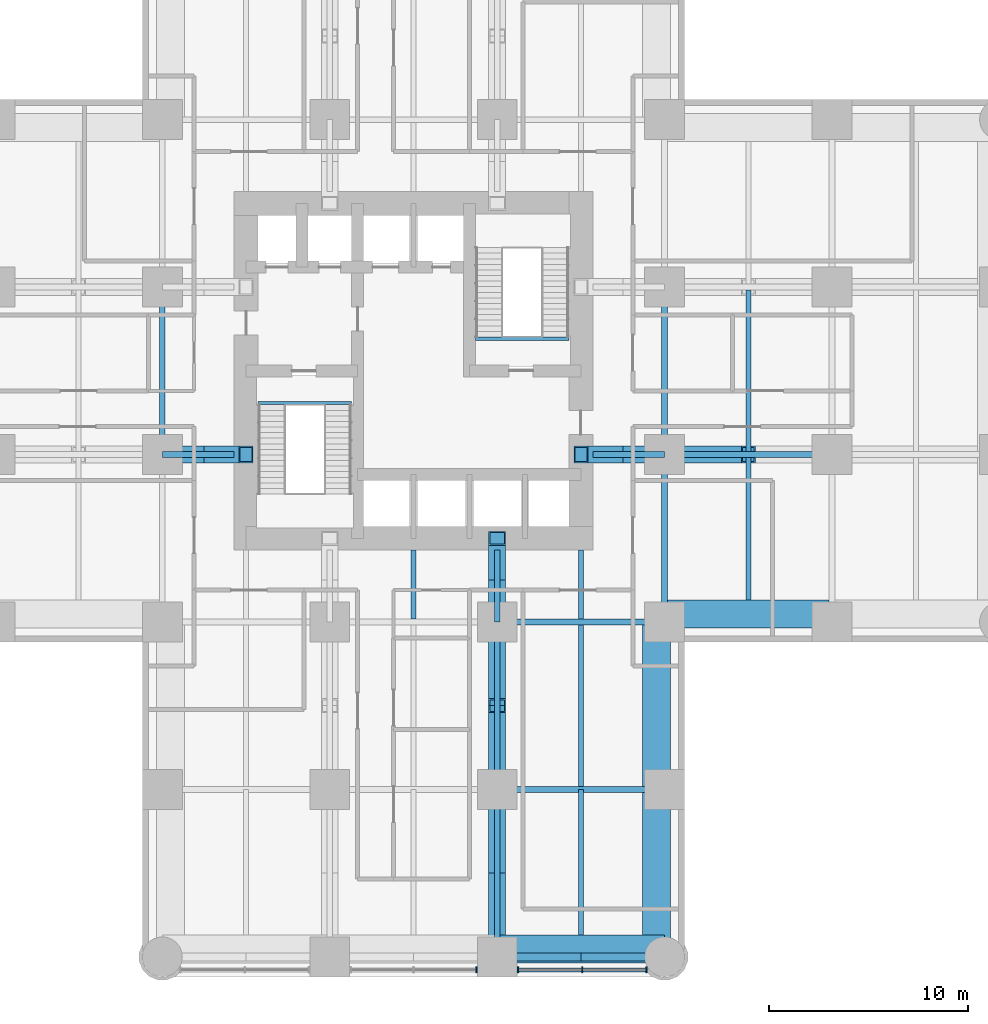
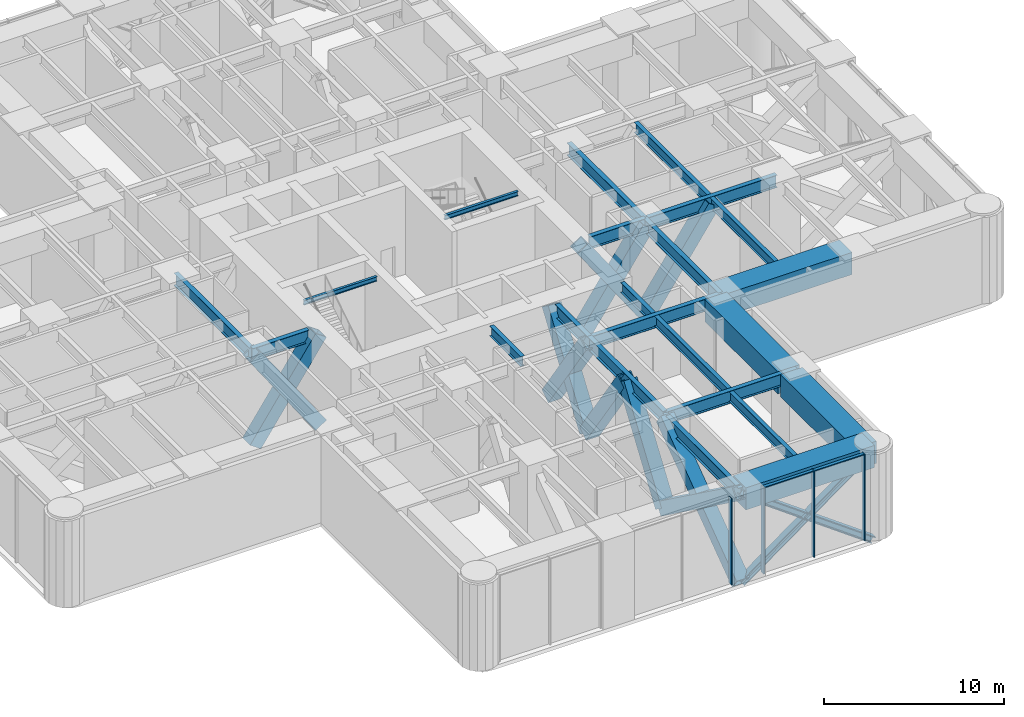
# One storey, part 3 of 12: 23 beams, 19 members, 1 element without a shape of its own.
"""IFC4 building model written with IfcOpenShell, lengths in metres."""

from ifc_helpers import new_model, si_unit, direction, frame, origin, origin_2d, place, context, subcontext, project, spatial, rectangle, hollow_rectangle, i_section, extrude, material, material_profile, profile_set, type_object, element, aggregate, save


model = new_model("IFC4")

# Units and contexts
model_context = context("Model", 3, precision=1e-05, world=origin(), true_north=direction((0.0, 1.0)))
body_context = subcontext(model_context, "Body", "Model", "MODEL_VIEW")
ifc_project = project(units=[si_unit("LENGTHUNIT", "METRE"), si_unit("AREAUNIT", "SQUARE_METRE"), si_unit("VOLUMEUNIT", "CUBIC_METRE"), si_unit("PLANEANGLEUNIT", "RADIAN"), si_unit("MASSUNIT", "GRAM", prefix="KILO")], contexts=[model_context])

# Site, building, storey
site_placement = place(None, origin())
site = spatial("IfcSite", under=ifc_project, at=site_placement, CompositionType="ELEMENT")
building_placement = place(site_placement, origin())
building = spatial("IfcBuilding", under=site, at=building_placement, Name="Torre Alcanfor", CompositionType="ELEMENT")
storey_placement = place(building_placement, frame((0.0, 0.0, 102.89990234375)))
storey = spatial("IfcBuildingStorey", under=building, at=storey_placement, Name="L26", CompositionType="ELEMENT", Elevation=102.89990234375)

# Members
ifc_material_1 = material(Name="Steel ASTM A992 Grade 50", Category="steel")
ifc_material_profile_1 = material_profile(ifc_material_1, i_section(OverallWidth=0.411376953125, OverallDepth=0.434326171875, WebThickness=0.035888671875, FlangeThickness=0.057373046875, at=origin_2d()), Name="W14x311")
ifc_profile_set_1 = profile_set([ifc_material_profile_1], Name="Steel ASTM A992 Grade 50")
member_type_1 = type_object("IfcMemberType", Name="Belt truss diagonal W14x311", PredefinedType="BRACE", material=ifc_profile_set_1)
for number, where, z_axis, x_axis, name in (
    (1, (33.60009765625, 0.0, -0.64990234375), (0.809144712888, 0.0, 0.587609422665), (0.0, 1.0, 0.0), "Belt truss L26 S arm panel 3 diagonal A"),
    (2, (42.0, 0.0, -0.64990234375), (-0.809144712888, 0.0, 0.587609422665), (0.0, -1.0, 0.0), "Belt truss L26 S arm panel 3 diagonal B"),
):
    element("IfcMember", number, at=place(storey_placement, frame(where, z_axis=z_axis, x_axis=x_axis)), inside=storey, type_object=member_type_1, Name=name, PredefinedType="BRACE", context=body_context, shape_type="SweptSolid", body=[
        extrude(i_section(OverallWidth=0.411376953125, OverallDepth=0.434326171875, WebThickness=0.035888671875, FlangeThickness=0.057373046875, at=origin_2d()), origin(), (0.0, 0.0, 1.0), 10.381103515625),
    ])

# Curtain wall, members
ifc_material_2 = material(Name="Aluminium and glass", Category="aluminium")
curtain_wall_type = type_object("IfcCurtainWallType", Name="CW-D plant floor louvre screen", PredefinedType="NOTDEFINED", material=ifc_material_2)
curtain_wall_placement = place(storey_placement, origin())
curtain_wall = element("IfcCurtainWall", 3, at=curtain_wall_placement, inside=storey, type_object=curtain_wall_type, Name="Curtain wall CW-D L26 5", PredefinedType="NOTDEFINED")
ifc_material_3 = material(Name="Extruded aluminium", Category="aluminium")
ifc_material_profile_2 = material_profile(ifc_material_3, rectangle(XDim=0.300048828125, YDim=0.06494140625, at=origin_2d()), Name="CW-D mullion 65x300")
ifc_profile_set_2 = profile_set([ifc_material_profile_2], Name="Extruded aluminium")
member_type_2 = type_object("IfcMemberType", Name="CW-D mullion 65x300", PredefinedType="MULLION", material=ifc_profile_set_2)
member_1_placement = place(storey_placement, frame((32.5625, -0.64990234375, 0.0), z_axis=(0.0, 0.0, 1.0), x_axis=(0.0, 1.0, 0.0)))
member_1 = element("IfcMember", 4, at=member_1_placement, type_object=member_type_2, Name="CW-D mullion 2.3", PredefinedType="MULLION", context=body_context, shape_type="SweptSolid", body=[
    extrude(rectangle(XDim=0.300048828125, YDim=0.06494140625, at=origin_2d()), origin(), (0.0, 0.0, 1.0), 5.85009765625),
])
member_2_placement = place(storey_placement, frame((34.637451171875, -0.64990234375, 0.0), z_axis=(0.0, 0.0, 1.0), x_axis=(0.0, 1.0, 0.0)))
member_2 = element("IfcMember", 5, at=member_2_placement, type_object=member_type_2, Name="CW-D mullion 3.1", PredefinedType="MULLION", context=body_context, shape_type="SweptSolid", body=[
    extrude(rectangle(XDim=0.300048828125, YDim=0.06494140625, at=origin_2d()), origin(), (0.0, 0.0, 1.0), 5.85009765625),
])
member_3_placement = place(storey_placement, frame((37.86669921875, -0.64990234375, 0.0), z_axis=(0.0, 0.0, 1.0), x_axis=(0.0, 1.0, 0.0)))
member_3 = element("IfcMember", 6, at=member_3_placement, type_object=member_type_2, Name="CW-D mullion 3.2", PredefinedType="MULLION", context=body_context, shape_type="SweptSolid", body=[
    extrude(rectangle(XDim=0.300048828125, YDim=0.06494140625, at=origin_2d()), origin(), (0.0, 0.0, 1.0), 5.85009765625),
])
member_4_placement = place(storey_placement, frame((41.095703125, -0.64990234375, 0.0), z_axis=(0.0, 0.0, 1.0), x_axis=(0.0, 1.0, 0.0)))
member_4 = element("IfcMember", 7, at=member_4_placement, type_object=member_type_2, Name="CW-D mullion 3.3", PredefinedType="MULLION", context=body_context, shape_type="SweptSolid", body=[
    extrude(rectangle(XDim=0.300048828125, YDim=0.06494140625, at=origin_2d()), origin(), (0.0, 0.0, 1.0), 5.85009765625),
])
ifc_material_4 = material(Name="Extruded aluminium", Category="aluminium")
ifc_material_profile_3 = material_profile(ifc_material_4, rectangle(XDim=0.199951171875, YDim=0.06494140625, at=origin_2d()), Name="CW-D transom 200x65")
ifc_profile_set_3 = profile_set([ifc_material_profile_3], Name="Extruded aluminium")
member_type_3 = type_object("IfcMemberType", Name="CW-D transom 65x200", PredefinedType="USERDEFINED", material=ifc_profile_set_3)
member_5_placement = place(storey_placement, frame((34.669921875, -0.64990234375, 5.817626953125), z_axis=(1.0, 0.0, 0.0), x_axis=(0.0, 1.0, 0.0)))
member_5 = element("IfcMember", 8, at=member_5_placement, type_object=member_type_3, Name="CW-D transom 3.1.2", ObjectType="TRANSOM", PredefinedType="USERDEFINED", context=body_context, shape_type="SweptSolid", body=[
    extrude(rectangle(XDim=0.199951171875, YDim=0.06494140625, at=origin_2d()), origin(), (0.0, 0.0, 1.0), 3.164306640625),
])
member_6_placement = place(storey_placement, frame((37.899169921875, -0.64990234375, 5.817626953125), z_axis=(1.0, 0.0, 0.0), x_axis=(0.0, 1.0, 0.0)))
member_6 = element("IfcMember", 9, at=member_6_placement, type_object=member_type_3, Name="CW-D transom 3.2.2", ObjectType="TRANSOM", PredefinedType="USERDEFINED", context=body_context, shape_type="SweptSolid", body=[
    extrude(rectangle(XDim=0.199951171875, YDim=0.06494140625, at=origin_2d()), origin(), (0.0, 0.0, 1.0), 3.1640625),
])
aggregate(curtain_wall, [member_1, member_2, member_3, member_4, member_5, member_6])

# Beams
ifc_material_5 = material(Name="Steel ASTM A992 Grade 50", Category="steel")
ifc_material_profile_4 = material_profile(ifc_material_5, i_section(OverallWidth=0.2919921875, OverallDepth=0.8408203125, WebThickness=0.0146484375, FlangeThickness=0.021728515625, at=origin_2d()), Name="W33x130")
ifc_profile_set_4 = profile_set([ifc_material_profile_4], Name="Steel ASTM A992 Grade 50")
beam_type_1 = type_object("IfcBeamType", Name="Girder W33x130", PredefinedType="BEAM", material=ifc_profile_set_4)
for number, where, z_axis, x_axis, name in (
    (10, (33.60009765625, 8.39990234375, 5.4296875), (1.0, 0.0, 0.0), (0.0, 1.0, 0.0), "Beam 5D-6D under L27"),
    (11, (33.60009765625, 16.800048828125, 5.4296875), (1.0, 0.0, 0.0), (0.0, 1.0, 0.0), "Beam 5E-6E under L27"),
    (12, (42.0, 25.199951171875, 5.4296875), (1.0, 0.0, 0.0), (0.0, 1.0, 0.0), "Beam 6F-7F under L27"),
):
    element("IfcBeam", number, at=place(storey_placement, frame(where, z_axis=z_axis, x_axis=x_axis)), inside=storey, type_object=beam_type_1, Name=name, PredefinedType="BEAM", context=body_context, shape_type="SweptSolid", body=[
        extrude(i_section(OverallWidth=0.2919921875, OverallDepth=0.8408203125, WebThickness=0.0146484375, FlangeThickness=0.021728515625, at=origin_2d()), origin(), (0.0, 0.0, 1.0), 8.39990234375),
    ])
beam_1_placement = place(storey_placement, frame((16.800048828125, 25.199951171875, 5.4296875), z_axis=(0.0, 1.0, 0.0), x_axis=(-1.0, 0.0, 0.0)))
element("IfcBeam", 13, at=beam_1_placement, inside=storey, type_object=beam_type_1, Name="Beam 3F-3G under L27", PredefinedType="BEAM", context=body_context, shape_type="SweptSolid", body=[
    extrude(i_section(OverallWidth=0.2919921875, OverallDepth=0.8408203125, WebThickness=0.0146484375, FlangeThickness=0.021728515625, at=origin_2d()), origin(), (0.0, 0.0, 1.0), 8.400146484375),
])
beam_2_placement = place(storey_placement, frame((33.60009765625, 0.0, 5.329833984375), z_axis=(0.0, 1.0, 0.0), x_axis=(-1.0, 0.0, 0.0)))
element("IfcBeam", 14, at=beam_2_placement, inside=storey, type_object=beam_type_1, Name="Beam 5C-5D under L27", PredefinedType="BEAM", context=body_context, shape_type="SweptSolid", body=[
    extrude(i_section(OverallWidth=0.2919921875, OverallDepth=0.8408203125, WebThickness=0.0146484375, FlangeThickness=0.021728515625, at=origin_2d()), origin(), (0.0, 0.0, 1.0), 8.39990234375),
])
beam_3_placement = place(storey_placement, frame((33.60009765625, 8.39990234375, 5.4296875), z_axis=(0.0, 1.0, 0.0), x_axis=(-1.0, 0.0, 0.0)))
element("IfcBeam", 15, at=beam_3_placement, inside=storey, type_object=beam_type_1, Name="Beam 5D-5E under L27", PredefinedType="BEAM", context=body_context, shape_type="SweptSolid", body=[
    extrude(i_section(OverallWidth=0.2919921875, OverallDepth=0.8408203125, WebThickness=0.0146484375, FlangeThickness=0.021728515625, at=origin_2d()), origin(), (0.0, 0.0, 1.0), 8.400146484375),
])
beam_4_placement = place(storey_placement, frame((42.0, 16.800048828125, 5.4296875), z_axis=(0.0, 1.0, 0.0), x_axis=(-1.0, 0.0, 0.0)))
element("IfcBeam", 16, at=beam_4_placement, inside=storey, type_object=beam_type_1, Name="Beam 6E-6F under L27", PredefinedType="BEAM", context=body_context, shape_type="SweptSolid", body=[
    extrude(i_section(OverallWidth=0.2919921875, OverallDepth=0.8408203125, WebThickness=0.0146484375, FlangeThickness=0.021728515625, at=origin_2d()), origin(), (0.0, 0.0, 1.0), 8.39990234375),
])
beam_5_placement = place(storey_placement, frame((42.0, 25.199951171875, 5.4296875), z_axis=(0.0, 1.0, 0.0), x_axis=(-1.0, 0.0, 0.0)))
element("IfcBeam", 17, at=beam_5_placement, inside=storey, type_object=beam_type_1, Name="Beam 6F-6G under L27", PredefinedType="BEAM", context=body_context, shape_type="SweptSolid", body=[
    extrude(i_section(OverallWidth=0.2919921875, OverallDepth=0.8408203125, WebThickness=0.0146484375, FlangeThickness=0.021728515625, at=origin_2d()), origin(), (0.0, 0.0, 1.0), 8.400146484375),
])
ifc_material_6 = material(Name="Steel ASTM A992 Grade 50", Category="steel")
ifc_material_profile_5 = material_profile(ifc_material_6, i_section(OverallWidth=0.2919921875, OverallDepth=0.8408203125, WebThickness=0.0146484375, FlangeThickness=0.021728515625, at=origin_2d()), Name="W33x130")
ifc_profile_set_5 = profile_set([ifc_material_profile_5], Name="Steel ASTM A992 Grade 50")
beam_type_2 = type_object("IfcBeamType", Name="Girder, part bay W33x130", PredefinedType="BEAM", material=ifc_profile_set_5)
for number, where, z_axis, x_axis, name in (
    (18, (33.60009765625, 16.800048828125, 5.4296875), (0.0, 1.0, 0.0), (-1.0, 0.0, 0.0), "Beam 5E-520_4 under L27"),
    (19, (16.800048828125, 25.199951171875, 5.4296875), (1.0, 0.0, 0.0), (0.0, 1.0, 0.0), "Beam 3F-20_4F under L27"),
):
    element("IfcBeam", number, at=place(storey_placement, frame(where, z_axis=z_axis, x_axis=x_axis)), inside=storey, type_object=beam_type_2, Name=name, PredefinedType="BEAM", context=body_context, shape_type="SweptSolid", body=[
        extrude(i_section(OverallWidth=0.2919921875, OverallDepth=0.8408203125, WebThickness=0.0146484375, FlangeThickness=0.021728515625, at=origin_2d()), origin(), (0.0, 0.0, 1.0), 3.599853515625),
    ])
beam_6_placement = place(storey_placement, frame((42.0, 25.199951171875, 5.4296875), z_axis=(-1.0, 0.0, 0.0), x_axis=(0.0, -1.0, 0.0)))
element("IfcBeam", 20, at=beam_6_placement, inside=storey, type_object=beam_type_2, Name="Beam 6F-38_4F under L27", PredefinedType="BEAM", context=body_context, shape_type="SweptSolid", body=[
    extrude(i_section(OverallWidth=0.2919921875, OverallDepth=0.8408203125, WebThickness=0.0146484375, FlangeThickness=0.021728515625, at=origin_2d()), origin(), (0.0, 0.0, 1.0), 3.60009765625),
])

# Members
ifc_material_7 = material(Name="Steel ASTM A572 Grade 50 plate", Category="steel")
ifc_material_profile_6 = material_profile(ifc_material_7, hollow_rectangle(XDim=0.85009765625, YDim=0.85009765625, WallThickness=0.070068359375, at=origin_2d()), Name="BOX 850x850x70")
ifc_profile_set_6 = profile_set([ifc_material_profile_6], Name="Steel ASTM A572 Grade 50 plate")
member_type_4 = type_object("IfcMemberType", Name="Outrigger truss diagonal BOx850x850x70", PredefinedType="BRACE", material=ifc_profile_set_6)
for number, where, z_axis, x_axis, name in (
    (21, (37.800048828125, 25.199951171875, -0.64990234375), (0.567091101321, 0.0, 0.823655075139), (0.0, 1.0, 0.0), "Outrigger truss L26 E arm grid 25.2 panel 1 diagonal A"),
    (22, (42.0, 25.199951171875, -0.64990234375), (-0.567091101321, 0.0, 0.823655075139), (0.0, -1.0, 0.0), "Outrigger truss L26 E arm grid 25.2 panel 1 diagonal B"),
    (23, (42.0, 25.199951171875, -0.64990234375), (0.567091101321, 0.0, 0.823655075139), (0.0, 1.0, 0.0), "Outrigger truss L26 E arm grid 25.2 panel 2 diagonal A"),
    (24, (33.60009765625, 21.0, -0.64990234375), (0.0, -0.567091101321, 0.823655075139), (1.0, 0.0, 0.0), "Outrigger truss L26 S arm grid 33.6 panel 1 diagonal A"),
    (25, (33.60009765625, 16.800048828125, -0.64990234375), (0.0, 0.567091101321, 0.823655075139), (-1.0, 0.0, 0.0), "Outrigger truss L26 S arm grid 33.6 panel 1 diagonal B"),
    (26, (33.60009765625, 16.800048828125, -0.64990234375), (0.0, -0.567091101321, 0.823655075139), (1.0, 0.0, 0.0), "Outrigger truss L26 S arm grid 33.6 panel 2 diagonal A"),
    (27, (33.60009765625, 8.39990234375, -0.64990234375), (0.0, 0.567113464175, 0.823639677742), (-1.0, 0.0, 0.0), "Outrigger truss L26 S arm grid 33.6 panel 2 diagonal B"),
):
    element("IfcMember", number, at=place(storey_placement, frame(where, z_axis=z_axis, x_axis=x_axis)), inside=storey, type_object=member_type_4, Name=name, PredefinedType="BRACE", context=body_context, shape_type="SweptSolid", body=[
        extrude(hollow_rectangle(XDim=0.85009765625, YDim=0.85009765625, WallThickness=0.070068359375, at=origin_2d()), origin(), (0.0, 0.0, 1.0), 7.40625),
    ])
for number, where, z_axis, x_axis, name in (
    (28, (33.60009765625, 8.39990234375, -0.64990234375), (0.0, -0.809144712888, 0.587609422665), (1.0, 0.0, 0.0), "Outrigger truss L26 S arm grid 33.6 panel 3 diagonal A"),
    (29, (33.60009765625, 0.0, -0.64990234375), (0.0, 0.809144712888, 0.587609422665), (-1.0, 0.0, 0.0), "Outrigger truss L26 S arm grid 33.6 panel 3 diagonal B"),
):
    element("IfcMember", number, at=place(storey_placement, frame(where, z_axis=z_axis, x_axis=x_axis)), inside=storey, type_object=member_type_4, Name=name, PredefinedType="BRACE", context=body_context, shape_type="SweptSolid", body=[
        extrude(hollow_rectangle(XDim=0.85009765625, YDim=0.85009765625, WallThickness=0.070068359375, at=origin_2d()), origin(), (0.0, 0.0, 1.0), 10.381103515625),
    ])
for number, where, z_axis, x_axis, name in (
    (30, (21.0, 25.199951171875, -0.64990234375), (-0.567091101321, 0.0, 0.823655075139), (0.0, -1.0, 0.0), "Outrigger truss L26 W arm grid 25.2 panel 1 diagonal A"),
    (31, (16.800048828125, 25.199951171875, -0.64990234375), (0.567091101321, 0.0, 0.823655075139), (0.0, 1.0, 0.0), "Outrigger truss L26 W arm grid 25.2 panel 1 diagonal B"),
):
    element("IfcMember", number, at=place(storey_placement, frame(where, z_axis=z_axis, x_axis=x_axis)), inside=storey, type_object=member_type_4, Name=name, PredefinedType="BRACE", context=body_context, shape_type="SweptSolid", body=[
        extrude(hollow_rectangle(XDim=0.85009765625, YDim=0.85009765625, WallThickness=0.070068359375, at=origin_2d()), origin(), (0.0, 0.0, 1.0), 7.40625),
    ])

# Beams
ifc_material_8 = material(Name="Concrete f'c 70 MPa", Category="concrete")
ifc_material_profile_7 = material_profile(ifc_material_8, rectangle(XDim=1.39990234375, YDim=1.5, at=origin_2d()), Name="1400x1500")
ifc_profile_set_7 = profile_set([ifc_material_profile_7], Name="Concrete f'c 70 MPa")
beam_type_3 = type_object("IfcBeamType", Name="RC perimeter beam 1400x1500", PredefinedType="BEAM", material=ifc_profile_set_7)
beam_7_placement = place(storey_placement, frame((33.74609375, 0.39990234375, 5.10009765625), z_axis=(1.0, 0.0, 0.0), x_axis=(0.0, 1.0, 0.0)))
element("IfcBeam", 32, at=beam_7_placement, inside=storey, type_object=beam_type_3, Name="Beam 5C-6C under L27", PredefinedType="BEAM", context=body_context, shape_type="SweptSolid", body=[
    extrude(rectangle(XDim=1.39990234375, YDim=1.5, at=origin_2d()), origin(), (0.0, 0.0, 1.0), 8.25390625),
])
beam_8_placement = place(storey_placement, frame((41.85400390625, 17.199951171875, 5.10009765625), z_axis=(1.0, 0.0, 0.0), x_axis=(0.0, 1.0, 0.0)))
element("IfcBeam", 33, at=beam_8_placement, inside=storey, type_object=beam_type_3, Name="Beam 6E-7E under L27", PredefinedType="BEAM", context=body_context, shape_type="SweptSolid", body=[
    extrude(rectangle(XDim=1.39990234375, YDim=1.5, at=origin_2d()), origin(), (0.0, 0.0, 1.0), 8.39990234375),
])
beam_9_placement = place(storey_placement, frame((41.60009765625, 0.0, 5.10009765625), z_axis=(0.0, 1.0, 0.0), x_axis=(-1.0, 0.0, 0.0)))
element("IfcBeam", 34, at=beam_9_placement, inside=storey, type_object=beam_type_3, Name="Beam 6C-6D under L27", PredefinedType="BEAM", context=body_context, shape_type="SweptSolid", body=[
    extrude(rectangle(XDim=1.39990234375, YDim=1.5, at=origin_2d()), origin(), (0.0, 0.0, 1.0), 8.25390625),
])
beam_10_placement = place(storey_placement, frame((41.60009765625, 8.5458984375, 5.10009765625), z_axis=(0.0, 1.0, 0.0), x_axis=(-1.0, 0.0, 0.0)))
element("IfcBeam", 35, at=beam_10_placement, inside=storey, type_object=beam_type_3, Name="Beam 6D-6E under L27", PredefinedType="BEAM", context=body_context, shape_type="SweptSolid", body=[
    extrude(rectangle(XDim=1.39990234375, YDim=1.5, at=origin_2d()), origin(), (0.0, 0.0, 1.0), 8.108154296875),
])
ifc_material_9 = material(Name="Steel ASTM A992 Grade 50", Category="steel")
ifc_material_profile_8 = material_profile(ifc_material_9, i_section(OverallWidth=0.25390625, OverallDepth=0.683349609375, WebThickness=0.012451171875, FlangeThickness=0.01904296875, at=origin_2d()), Name="W27x94")
ifc_profile_set_8 = profile_set([ifc_material_profile_8], Name="Steel ASTM A992 Grade 50")
beam_type_4 = type_object("IfcBeamType", Name="Secondary beam W27x94", PredefinedType="BEAM", material=ifc_profile_set_8)
beam_11_placement = place(storey_placement, frame((37.800048828125, 1.10009765625, 5.408447265625), z_axis=(0.0, 1.0, 0.0), x_axis=(-1.0, 0.0, 0.0)))
element("IfcBeam", 36, at=beam_11_placement, inside=storey, type_object=beam_type_4, Name="Beam 37_8C-37_8D under L27", PredefinedType="BEAM", context=body_context, shape_type="SweptSolid", body=[
    extrude(i_section(OverallWidth=0.25390625, OverallDepth=0.683349609375, WebThickness=0.012451171875, FlangeThickness=0.01904296875, at=origin_2d()), origin(), (0.0, 0.0, 1.0), 7.29296875),
])
beam_12_placement = place(storey_placement, frame((37.800048828125, 8.5458984375, 5.508544921875), z_axis=(0.0, 1.0, 0.0), x_axis=(-1.0, 0.0, 0.0)))
element("IfcBeam", 37, at=beam_12_placement, inside=storey, type_object=beam_type_4, Name="Beam 37_8D-37_8E under L27", PredefinedType="BEAM", context=body_context, shape_type="SweptSolid", body=[
    extrude(i_section(OverallWidth=0.25390625, OverallDepth=0.683349609375, WebThickness=0.012451171875, FlangeThickness=0.01904296875, at=origin_2d()), origin(), (0.0, 0.0, 1.0), 8.108154296875),
])
beam_13_placement = place(storey_placement, frame((46.199951171875, 17.89990234375, 5.508544921875), z_axis=(0.0, 1.0, 0.0), x_axis=(-1.0, 0.0, 0.0)))
element("IfcBeam", 38, at=beam_13_placement, inside=storey, type_object=beam_type_4, Name="Beam 46_2E-46_2F under L27", PredefinedType="BEAM", context=body_context, shape_type="SweptSolid", body=[
    extrude(i_section(OverallWidth=0.25390625, OverallDepth=0.683349609375, WebThickness=0.012451171875, FlangeThickness=0.01904296875, at=origin_2d()), origin(), (0.0, 0.0, 1.0), 7.154052734375),
])
beam_14_placement = place(storey_placement, frame((46.199951171875, 25.345947265625, 5.508544921875), z_axis=(0.0, 1.0, 0.0), x_axis=(-1.0, 0.0, 0.0)))
element("IfcBeam", 39, at=beam_14_placement, inside=storey, type_object=beam_type_4, Name="Beam 46_2F-46_2G under L27", PredefinedType="BEAM", context=body_context, shape_type="SweptSolid", body=[
    extrude(i_section(OverallWidth=0.25390625, OverallDepth=0.683349609375, WebThickness=0.012451171875, FlangeThickness=0.01904296875, at=origin_2d()), origin(), (0.0, 0.0, 1.0), 8.108154296875),
])
ifc_material_10 = material(Name="Steel ASTM A992 Grade 50", Category="steel")
ifc_material_profile_9 = material_profile(ifc_material_10, i_section(OverallWidth=0.25390625, OverallDepth=0.683349609375, WebThickness=0.012451171875, FlangeThickness=0.01904296875, at=origin_2d()), Name="W27x94")
ifc_profile_set_9 = profile_set([ifc_material_profile_9], Name="Steel ASTM A992 Grade 50")
beam_type_5 = type_object("IfcBeamType", Name="Secondary beam, part bay W27x94", PredefinedType="BEAM", material=ifc_profile_set_9)
for number, where, z_axis, x_axis, name in (
    (40, (29.39990234375, 16.946044921875, 5.508544921875), (0.0, 1.0, 0.0), (-1.0, 0.0, 0.0), "Beam 29_4E-29_420_4 under L27"),
    (41, (37.800048828125, 16.946044921875, 5.508544921875), (0.0, 1.0, 0.0), (-1.0, 0.0, 0.0), "Beam 37_8E-37_820_4 under L27"),
):
    element("IfcBeam", number, at=place(storey_placement, frame(where, z_axis=z_axis, x_axis=x_axis)), inside=storey, type_object=beam_type_5, Name=name, PredefinedType="BEAM", context=body_context, shape_type="SweptSolid", body=[
        extrude(i_section(OverallWidth=0.25390625, OverallDepth=0.683349609375, WebThickness=0.012451171875, FlangeThickness=0.01904296875, at=origin_2d()), origin(), (0.0, 0.0, 1.0), 3.453857421875),
    ])
ifc_material_11 = material(Name="Steel ASTM A992 Grade 50", Category="steel")
ifc_material_profile_10 = material_profile(ifc_material_11, i_section(OverallWidth=0.164794921875, OverallDepth=0.309814453125, WebThickness=0.005859375, FlangeThickness=0.009765625, at=origin_2d()), Name="W12x26")
ifc_profile_set_10 = profile_set([ifc_material_profile_10], Name="Steel ASTM A992 Grade 50")
beam_type_6 = type_object("IfcBeamType", Name="Stair landing beam W12x26", PredefinedType="BEAM", material=ifc_profile_set_10)
for number, where, z_axis, x_axis, name in (
    (42, (21.60009765625, 27.787353515625, 5.645263671875), (1.0, 0.0, 0.0), (0.0, 1.0, 0.0), "Landing trimmer S1 L27"),
    (43, (32.5, 31.0126953125, 5.645263671875), (1.0, 0.0, 0.0), (0.0, 1.0, 0.0), "Landing trimmer S2 L27"),
):
    element("IfcBeam", number, at=place(storey_placement, frame(where, z_axis=z_axis, x_axis=x_axis)), inside=storey, type_object=beam_type_6, Name=name, PredefinedType="BEAM", context=body_context, shape_type="SweptSolid", body=[
        extrude(i_section(OverallWidth=0.164794921875, OverallDepth=0.309814453125, WebThickness=0.005859375, FlangeThickness=0.009765625, at=origin_2d()), origin(), (0.0, 0.0, 1.0), 4.699951171875),
    ])

save(model, "model.ifc")
